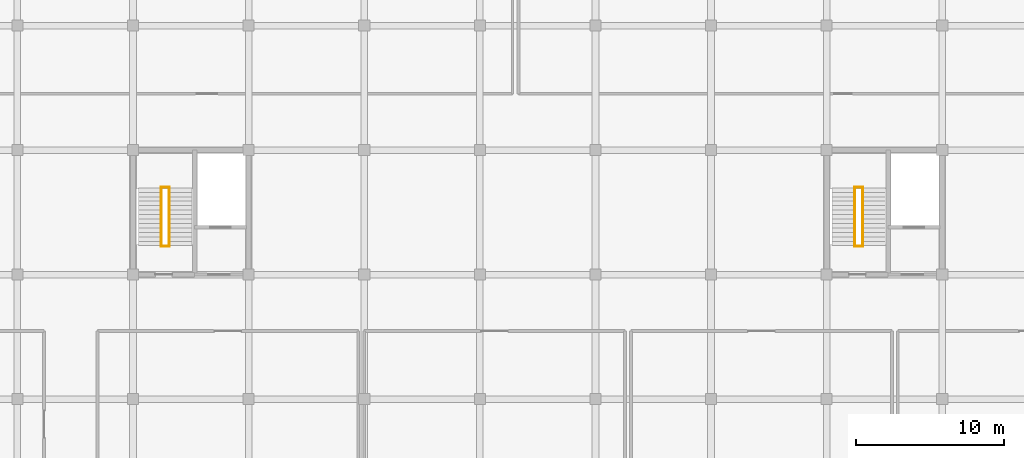
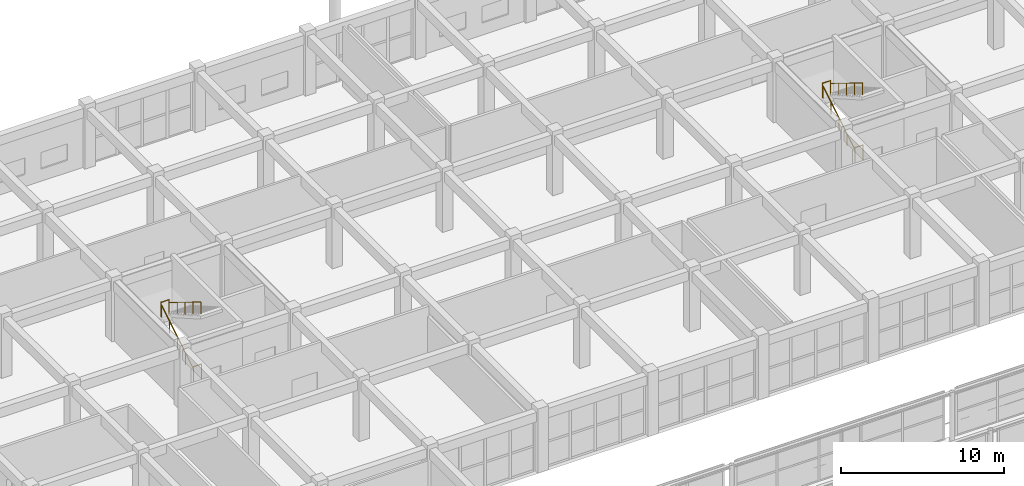
# One storey, part 166 of 167: 8 railings.
"""IFC4 building model written with IfcOpenShell, lengths in metres."""

from ifc_helpers import new_model, si_unit, direction, frame, origin, origin_2d, place, context, subcontext, project, spatial, circle, hollow_circle, extrude, material, material_profile, profile_set, type_object, element, save


model = new_model("IFC4")

# Units and contexts
model_context = context("Model", 3, precision=1e-05, world=origin(), true_north=direction((0.0, 1.0)))
body_context = subcontext(model_context, "Body", "Model", "MODEL_VIEW")
ifc_project = project(units=[si_unit("LENGTHUNIT", "METRE"), si_unit("AREAUNIT", "SQUARE_METRE"), si_unit("VOLUMEUNIT", "CUBIC_METRE"), si_unit("PLANEANGLEUNIT", "RADIAN"), si_unit("MASSUNIT", "GRAM", prefix="KILO")], contexts=[model_context])

# Site, building, storey
site_placement = place(None, origin())
site = spatial("IfcSite", under=ifc_project, at=site_placement, CompositionType="ELEMENT")
building_placement = place(site_placement, origin())
building = spatial("IfcBuilding", under=site, at=building_placement, Name="Zizhar Promenade General Hospital", CompositionType="ELEMENT")
storey_placement = place(building_placement, frame((0.0, 0.0, 9.60009765625)))
storey = spatial("IfcBuildingStorey", under=building, at=storey_placement, Name="L02", CompositionType="ELEMENT", Elevation=9.60009765625)

# Railings
ifc_material_1 = material(Name="Anodised aluminium 6063-T6", Category="aluminium")
ifc_material_profile_1 = material_profile(ifc_material_1, hollow_circle(Radius=0.06982421875, WallThickness=0.00634765625, at=origin_2d()))
ifc_profile_set_1 = profile_set([ifc_material_profile_1], Name="Anodised aluminium 6063-T6")
railing_type_1 = type_object("IfcRailingType", Name="RL-HANDRAIL-920", PredefinedType="HANDRAIL", material=ifc_profile_set_1)
railing_1_placement = place(storey_placement, frame((64.300048828125, 111.14990234375, 0.0)))
element("IfcRailing", 1, at=railing_1_placement, inside=storey, type_object=railing_type_1, Name="Stair ST-06 Flight 1 Handrail (L02)", PredefinedType="HANDRAIL", context=body_context, shape_type="SweptSolid", body=[
    extrude(circle(Radius=0.02392578125, at=origin_2d()), frame((0.0, 0.0, 0.89599609375), z_axis=(0.0, 0.851676621109, 0.524067679844), x_axis=(-1.0, 0.0, 0.0)), (0.0, 0.0, 1.0), 4.579345703125),
    extrude(circle(Radius=0.02099609375, at=origin_2d()), origin(), (0.0, 0.0, 1.0), 0.871826171875),
    extrude(circle(Radius=0.02099609375, at=origin_2d()), frame((0.0, 0.97509765625, 0.60009765625)), (0.0, 0.0, 1.0), 0.871826171875),
    extrude(circle(Radius=0.02099609375, at=origin_2d()), frame((0.0, 1.9501953125, 1.199951171875)), (0.0, 0.0, 1.0), 0.871826171875),
    extrude(circle(Radius=0.02099609375, at=origin_2d()), frame((0.0, 2.925048828125, 1.7998046875)), (0.0, 0.0, 1.0), 0.871826171875),
    extrude(circle(Radius=0.02099609375, at=origin_2d()), frame((0.0, 3.900146484375, 2.39990234375)), (0.0, 0.0, 1.0), 0.871826171875),
])
railing_2_placement = place(storey_placement, frame((64.840087890625, 115.050048828125, 2.39990234375)))
element("IfcRailing", 2, at=railing_2_placement, inside=storey, type_object=railing_type_1, Name="Stair ST-06 Flight 2 Handrail (L02)", PredefinedType="HANDRAIL", context=body_context, shape_type="SweptSolid", body=[
    extrude(circle(Radius=0.02392578125, at=origin_2d()), frame((0.0, 0.0, 0.89599609375), z_axis=(0.0, -0.851676621109, 0.524067679844), x_axis=(1.0, 0.0, 0.0)), (0.0, 0.0, 1.0), 4.579345703125),
    extrude(circle(Radius=0.02099609375, at=origin_2d()), origin(), (0.0, 0.0, 1.0), 0.871826171875),
    extrude(circle(Radius=0.02099609375, at=origin_2d()), frame((0.0, -0.97509765625, 0.60009765625)), (0.0, 0.0, 1.0), 0.871826171875),
    extrude(circle(Radius=0.02099609375, at=origin_2d()), frame((0.0, -1.9501953125, 1.199951171875)), (0.0, 0.0, 1.0), 0.871826171875),
    extrude(circle(Radius=0.02099609375, at=origin_2d()), frame((0.0, -2.925048828125, 1.7998046875)), (0.0, 0.0, 1.0), 0.871826171875),
    extrude(circle(Radius=0.02099609375, at=origin_2d()), frame((0.0, -3.900146484375, 2.39990234375)), (0.0, 0.0, 1.0), 0.871826171875),
])
railing_3_placement = place(storey_placement, frame((111.10009765625, 111.14990234375, 0.0)))
element("IfcRailing", 3, at=railing_3_placement, inside=storey, type_object=railing_type_1, Name="Stair ST-07 Flight 1 Handrail (L02)", PredefinedType="HANDRAIL", context=body_context, shape_type="SweptSolid", body=[
    extrude(circle(Radius=0.02392578125, at=origin_2d()), frame((0.0, 0.0, 0.89599609375), z_axis=(0.0, 0.851676621109, 0.524067679844), x_axis=(-1.0, 0.0, 0.0)), (0.0, 0.0, 1.0), 4.579345703125),
    extrude(circle(Radius=0.02099609375, at=origin_2d()), origin(), (0.0, 0.0, 1.0), 0.871826171875),
    extrude(circle(Radius=0.02099609375, at=origin_2d()), frame((0.0, 0.97509765625, 0.60009765625)), (0.0, 0.0, 1.0), 0.871826171875),
    extrude(circle(Radius=0.02099609375, at=origin_2d()), frame((0.0, 1.9501953125, 1.199951171875)), (0.0, 0.0, 1.0), 0.871826171875),
    extrude(circle(Radius=0.02099609375, at=origin_2d()), frame((0.0, 2.925048828125, 1.7998046875)), (0.0, 0.0, 1.0), 0.871826171875),
    extrude(circle(Radius=0.02099609375, at=origin_2d()), frame((0.0, 3.900146484375, 2.39990234375)), (0.0, 0.0, 1.0), 0.871826171875),
])
railing_4_placement = place(storey_placement, frame((111.639892578125, 115.050048828125, 2.39990234375)))
element("IfcRailing", 4, at=railing_4_placement, inside=storey, type_object=railing_type_1, Name="Stair ST-07 Flight 2 Handrail (L02)", PredefinedType="HANDRAIL", context=body_context, shape_type="SweptSolid", body=[
    extrude(circle(Radius=0.02392578125, at=origin_2d()), frame((0.0, 0.0, 0.89599609375), z_axis=(0.0, -0.851676621109, 0.524067679844), x_axis=(1.0, 0.0, 0.0)), (0.0, 0.0, 1.0), 4.579345703125),
    extrude(circle(Radius=0.02099609375, at=origin_2d()), origin(), (0.0, 0.0, 1.0), 0.871826171875),
    extrude(circle(Radius=0.02099609375, at=origin_2d()), frame((0.0, -0.97509765625, 0.60009765625)), (0.0, 0.0, 1.0), 0.871826171875),
    extrude(circle(Radius=0.02099609375, at=origin_2d()), frame((0.0, -1.9501953125, 1.199951171875)), (0.0, 0.0, 1.0), 0.871826171875),
    extrude(circle(Radius=0.02099609375, at=origin_2d()), frame((0.0, -2.925048828125, 1.7998046875)), (0.0, 0.0, 1.0), 0.871826171875),
    extrude(circle(Radius=0.02099609375, at=origin_2d()), frame((0.0, -3.900146484375, 2.39990234375)), (0.0, 0.0, 1.0), 0.871826171875),
])
ifc_material_2 = material(Name="Steel S355", Category="steel")
ifc_material_profile_2 = material_profile(ifc_material_2, hollow_circle(Radius=0.06982421875, WallThickness=0.00634765625, at=origin_2d()))
ifc_profile_set_2 = profile_set([ifc_material_profile_2], Name="Steel S355")
railing_type_2 = type_object("IfcRailingType", Name="RL-STAIR-GUARD-1100", PredefinedType="GUARDRAIL", material=ifc_profile_set_2)
for number, where, name in (
    (5, (64.280029296875, 115.090087890625, 2.39990234375), "Stair ST-06 Half-Landing Guard (L02)"),
    (6, (64.280029296875, 111.110107421875, 0.0), "Stair ST-06 Landing Well Guard (L02)"),
):
    element("IfcRailing", number, at=place(storey_placement, frame(where)), inside=storey, type_object=railing_type_2, Name=name, PredefinedType="GUARDRAIL", context=body_context, shape_type="SweptSolid", body=[
        extrude(circle(Radius=0.02392578125, at=origin_2d()), frame((0.0, 0.0, 1.076171875), z_axis=(1.0, 0.0, 0.0), x_axis=(0.0, 1.0, 0.0)), (0.0, 0.0, 1.0), 0.580078125),
        extrude(circle(Radius=0.02099609375, at=origin_2d()), origin(), (0.0, 0.0, 1.0), 1.052001953125),
        extrude(circle(Radius=0.02099609375, at=origin_2d()), frame((0.580078125, 0.0, 0.0)), (0.0, 0.0, 1.0), 1.052001953125),
    ])
for number, where, name in (
    (7, (111.080078125, 115.090087890625, 2.39990234375), "Stair ST-07 Half-Landing Guard (L02)"),
    (8, (111.080078125, 111.110107421875, 0.0), "Stair ST-07 Landing Well Guard (L02)"),
):
    element("IfcRailing", number, at=place(storey_placement, frame(where)), inside=storey, type_object=railing_type_2, Name=name, PredefinedType="GUARDRAIL", context=body_context, shape_type="SweptSolid", body=[
        extrude(circle(Radius=0.02392578125, at=origin_2d()), frame((0.0, 0.0, 1.076171875), z_axis=(1.0, 0.0, 0.0), x_axis=(0.0, 1.0, 0.0)), (0.0, 0.0, 1.0), 0.579833984375),
        extrude(circle(Radius=0.02099609375, at=origin_2d()), origin(), (0.0, 0.0, 1.0), 1.052001953125),
        extrude(circle(Radius=0.02099609375, at=origin_2d()), frame((0.579833984375, 0.0, 0.0)), (0.0, 0.0, 1.0), 1.052001953125),
    ])

save(model, "model.ifc")
